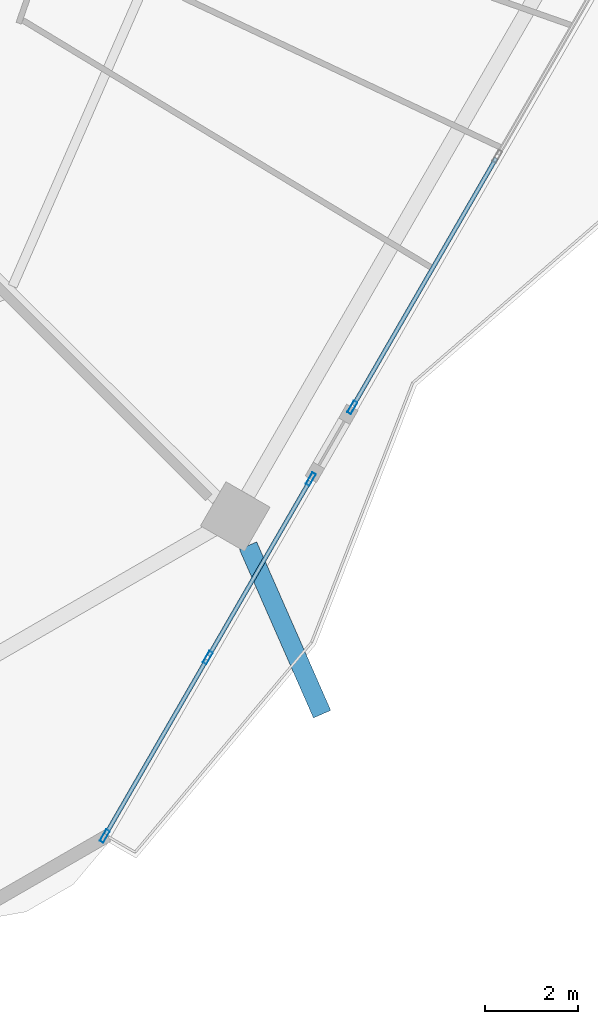
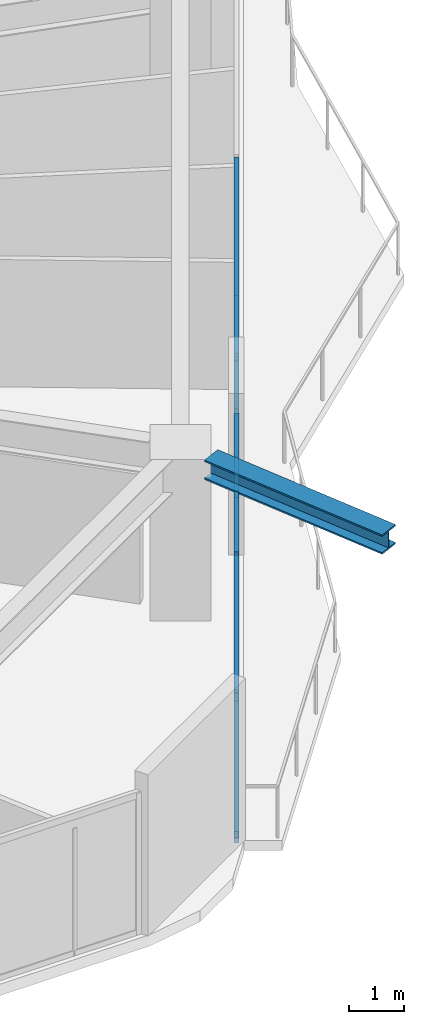
# One storey, part 9 of 32: 10 members, 1 beam, 2 elements without a shape of their own.
"""IFC4 building model written with IfcOpenShell, lengths in metres."""

from ifc_helpers import new_model, si_unit, direction, frame, origin, origin_2d, place, context, subcontext, project, spatial, hollow_rectangle, i_section, extrude, material, material_profile, profile_set, type_object, element, aggregate, save


model = new_model("IFC4")

# Units and contexts
model_context = context("Model", 3, precision=1e-05, world=origin(), true_north=direction((0.0, 1.0)))
body_context = subcontext(model_context, "Body", "Model", "MODEL_VIEW")
ifc_project = project(units=[si_unit("LENGTHUNIT", "METRE"), si_unit("AREAUNIT", "SQUARE_METRE"), si_unit("VOLUMEUNIT", "CUBIC_METRE"), si_unit("PLANEANGLEUNIT", "RADIAN"), si_unit("MASSUNIT", "GRAM", prefix="KILO")], contexts=[model_context])

# Site, building, storey
site_placement = place(None, origin())
site = spatial("IfcSite", under=ifc_project, at=site_placement, CompositionType="ELEMENT")
building_placement = place(site_placement, origin())
building = spatial("IfcBuilding", under=site, at=building_placement, Name="Zuhravey Tower", CompositionType="ELEMENT")
storey_placement = place(building_placement, frame((0.0, 0.0, 119.0)))
storey = spatial("IfcBuildingStorey", under=building, at=storey_placement, Name="L29", CompositionType="ELEMENT", Elevation=119.0)

# Curtain wall, member
ifc_material_1 = material(Name="Thermally broken anodised aluminium", Category="aluminium")
curtain_wall_type = type_object("IfcCurtainWallType", Name="Zone 1-2 Residential Curtain Wall CW3", PredefinedType="NOTDEFINED", material=ifc_material_1)
curtain_wall_1_placement = place(storey_placement, origin())
curtain_wall_1 = element("IfcCurtainWall", 1, at=curtain_wall_1_placement, inside=storey, type_object=curtain_wall_type, Name="L29 CW3 CW-L29-F6-1", PredefinedType="NOTDEFINED")
ifc_material_2 = material(Name="Anodised aluminium", Category="aluminium")
ifc_material_profile_1 = material_profile(ifc_material_2, hollow_rectangle(XDim=0.090087890625, YDim=0.284912109375, WallThickness=0.0048828125, at=origin_2d()), Name="ALU-RHS-90x285x5")
ifc_profile_set_1 = profile_set([ifc_material_profile_1], Name="Anodised aluminium")
member_type_1 = type_object("IfcMemberType", Name="Curtain-Wall Mullion 90x180", PredefinedType="MULLION", material=ifc_profile_set_1)
member_1_placement = place(storey_placement, frame((59.04638671875, 14.00048828125, 0.0), z_axis=(0.0, 0.0, 1.0), x_axis=(0.866026097028, -0.499998799264, 0.0)))
member_1 = element("IfcMember", 2, at=member_1_placement, type_object=member_type_1, Name="CW3 mullion 4", PredefinedType="MULLION", context=body_context, shape_type="SweptSolid", body=[
    extrude(hollow_rectangle(XDim=0.090087890625, YDim=0.284912109375, WallThickness=0.0048828125, at=origin_2d()), origin(), (0.0, 0.0, 1.0), 3.1220703125),
])

# Curtain wall, members
curtain_wall_2_placement = place(storey_placement, origin())
curtain_wall_2 = element("IfcCurtainWall", 3, at=curtain_wall_2_placement, inside=storey, type_object=curtain_wall_type, Name="L29 CW3 CW-L29-F6-2", PredefinedType="NOTDEFINED")
member_2_placement = place(storey_placement, frame((58.1513671875, 12.450439453125, 0.0), z_axis=(0.0, 0.0, 1.0), x_axis=(0.866022756998, -0.500004584341, 0.0)))
member_2 = element("IfcMember", 4, at=member_2_placement, type_object=member_type_1, Name="CW3 mullion 1", PredefinedType="MULLION", context=body_context, shape_type="SweptSolid", body=[
    extrude(hollow_rectangle(XDim=0.090087890625, YDim=0.284912109375, WallThickness=0.0048828125, at=origin_2d()), origin(), (0.0, 0.0, 1.0), 3.1220703125),
])
member_3_placement = place(storey_placement, frame((55.926513671875, 8.5966796875, 0.0), z_axis=(0.0, 0.0, 1.0), x_axis=(0.866022756998, -0.500004584341, 0.0)))
member_3 = element("IfcMember", 5, at=member_3_placement, type_object=member_type_1, Name="CW3 mullion 2", PredefinedType="MULLION", context=body_context, shape_type="SweptSolid", body=[
    extrude(hollow_rectangle(XDim=0.090087890625, YDim=0.284912109375, WallThickness=0.0048828125, at=origin_2d()), origin(), (0.0, 0.0, 1.0), 3.1220703125),
])
member_4_placement = place(storey_placement, frame((53.701416015625, 4.742919921875, 0.0), z_axis=(0.0, 0.0, 1.0), x_axis=(0.866022756998, -0.500004584341, 0.0)))
member_4 = element("IfcMember", 6, at=member_4_placement, type_object=member_type_1, Name="CW3 mullion 3", PredefinedType="MULLION", context=body_context, shape_type="SweptSolid", body=[
    extrude(hollow_rectangle(XDim=0.090087890625, YDim=0.284912109375, WallThickness=0.0048828125, at=origin_2d()), origin(), (0.0, 0.0, 1.0), 3.1220703125),
])

# Member
ifc_material_profile_2 = material_profile(ifc_material_2, hollow_rectangle(XDim=0.090087890625, YDim=0.14990234375, WallThickness=0.0048828125, at=origin_2d()), Name="ALU-RHS-90x150x5")
ifc_profile_set_2 = profile_set([ifc_material_profile_2], Name="Anodised aluminium")
member_type_2 = type_object("IfcMemberType", Name="Curtain-Wall Transom 90x150", PredefinedType="USERDEFINED", material=ifc_profile_set_2)
member_5_placement = place(storey_placement, frame((62.15283203125, 19.38134765625, 0.044921875), z_axis=(-0.499987416453, -0.866032668777, 0.0), x_axis=(0.866032668777, -0.499987416453, 0.0)))
member_5 = element("IfcMember", 7, at=member_5_placement, type_object=member_type_2, Name="CW3 transom 3.1", ObjectType="TRANSOM", PredefinedType="USERDEFINED", context=body_context, shape_type="SweptSolid", body=[
    extrude(hollow_rectangle(XDim=0.090087890625, YDim=0.14990234375, WallThickness=0.0048828125, at=origin_2d()), origin(), (0.0, 0.0, 1.0), 6.168212890625),
])

member_6_placement = place(storey_placement, frame((62.15283203125, 19.38134765625, 3.076904296875), z_axis=(-0.499987416453, -0.866032668777, 0.0), x_axis=(0.866032668777, -0.499987416453, 0.0)))
member_6 = element("IfcMember", 8, at=member_6_placement, type_object=member_type_2, Name="CW3 transom 3.2", ObjectType="TRANSOM", PredefinedType="USERDEFINED", context=body_context, shape_type="SweptSolid", body=[
    extrude(hollow_rectangle(XDim=0.090087890625, YDim=0.14990234375, WallThickness=0.0048828125, at=origin_2d()), origin(), (0.0, 0.0, 1.0), 6.168212890625),
])

aggregate(curtain_wall_1, [member_1, member_5, member_6])

member_7_placement = place(storey_placement, frame((58.12890625, 12.411376953125, 0.044921875), z_axis=(-0.50001167932, -0.866018660621, 0.0), x_axis=(0.866018660621, -0.50001167932, 0.0)))
member_7 = element("IfcMember", 9, at=member_7_placement, type_object=member_type_2, Name="CW3 transom 1.1", ObjectType="TRANSOM", PredefinedType="USERDEFINED", context=body_context, shape_type="SweptSolid", body=[
    extrude(hollow_rectangle(XDim=0.090087890625, YDim=0.14990234375, WallThickness=0.0048828125, at=origin_2d()), origin(), (0.0, 0.0, 1.0), 4.35986328125),
])

member_8_placement = place(storey_placement, frame((58.12890625, 12.411376953125, 3.076904296875), z_axis=(-0.50001167932, -0.866018660621, 0.0), x_axis=(0.866018660621, -0.50001167932, 0.0)))
member_8 = element("IfcMember", 10, at=member_8_placement, type_object=member_type_2, Name="CW3 transom 1.2", ObjectType="TRANSOM", PredefinedType="USERDEFINED", context=body_context, shape_type="SweptSolid", body=[
    extrude(hollow_rectangle(XDim=0.090087890625, YDim=0.14990234375, WallThickness=0.0048828125, at=origin_2d()), origin(), (0.0, 0.0, 1.0), 4.35986328125),
])

member_9_placement = place(storey_placement, frame((55.904052734375, 8.5576171875, 0.044921875), z_axis=(-0.50001167932, -0.866018660621, 0.0), x_axis=(0.866018660621, -0.50001167932, 0.0)))
member_9 = element("IfcMember", 11, at=member_9_placement, type_object=member_type_2, Name="CW3 transom 2.1", ObjectType="TRANSOM", PredefinedType="USERDEFINED", context=body_context, shape_type="SweptSolid", body=[
    extrude(hollow_rectangle(XDim=0.090087890625, YDim=0.14990234375, WallThickness=0.0048828125, at=origin_2d()), origin(), (0.0, 0.0, 1.0), 4.35986328125),
])

member_10_placement = place(storey_placement, frame((55.904052734375, 8.5576171875, 3.076904296875), z_axis=(-0.50001167932, -0.866018660621, 0.0), x_axis=(0.866018660621, -0.50001167932, 0.0)))
member_10 = element("IfcMember", 12, at=member_10_placement, type_object=member_type_2, Name="CW3 transom 2.2", ObjectType="TRANSOM", PredefinedType="USERDEFINED", context=body_context, shape_type="SweptSolid", body=[
    extrude(hollow_rectangle(XDim=0.090087890625, YDim=0.14990234375, WallThickness=0.0048828125, at=origin_2d()), origin(), (0.0, 0.0, 1.0), 4.35986328125),
])

aggregate(curtain_wall_2, [member_2, member_3, member_4, member_7, member_8, member_9, member_10])

# Beam
ifc_material_3 = material(Name="Steel SM460", Category="steel")
ifc_material_profile_3 = material_profile(ifc_material_3, i_section(OverallWidth=0.406982421875, OverallDepth=0.427978515625, WebThickness=0.02001953125, FlangeThickness=0.034912109375, at=origin_2d()), Name="H-428x407x20x35")
ifc_profile_set_3 = profile_set([ifc_material_profile_3], Name="Steel SM460")
beam_type = type_object("IfcBeamType", Name="Exoskeleton Node Tie Beam H428x407", PredefinedType="BEAM", material=ifc_profile_set_3)
beam_placement = place(storey_placement, frame((56.795166015625, 11.014892578125, 3.3359375), z_axis=(0.402345456296, -0.915487921164, 0.0), x_axis=(0.915487921164, 0.402345456296, 0.0)))
element("IfcBeam", 13, at=beam_placement, inside=storey, type_object=beam_type, Name="L29 Exoskeleton Node Tie NT1-11", PredefinedType="BEAM", context=body_context, shape_type="SweptSolid", body=[
    extrude(i_section(OverallWidth=0.406982421875, OverallDepth=0.427978515625, WebThickness=0.02001953125, FlangeThickness=0.034912109375, at=origin_2d()), origin(), (0.0, 0.0, 1.0), 3.97509765625),
])

save(model, "model.ifc")
